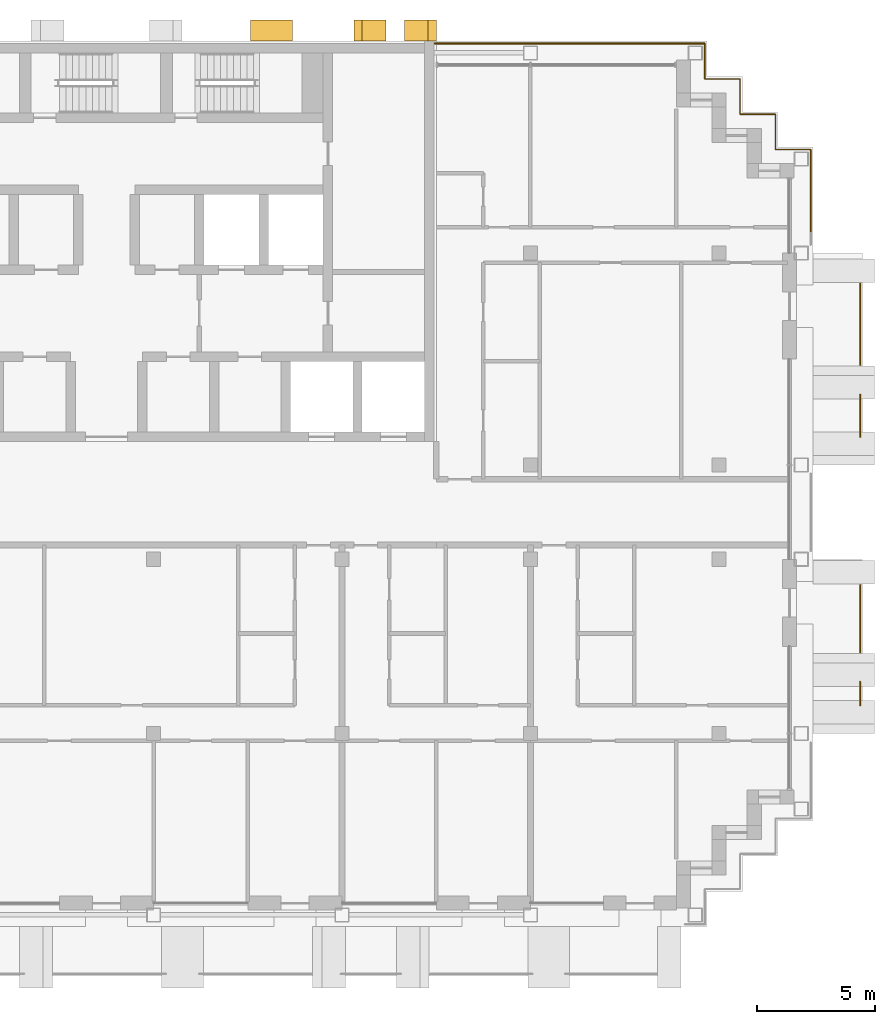
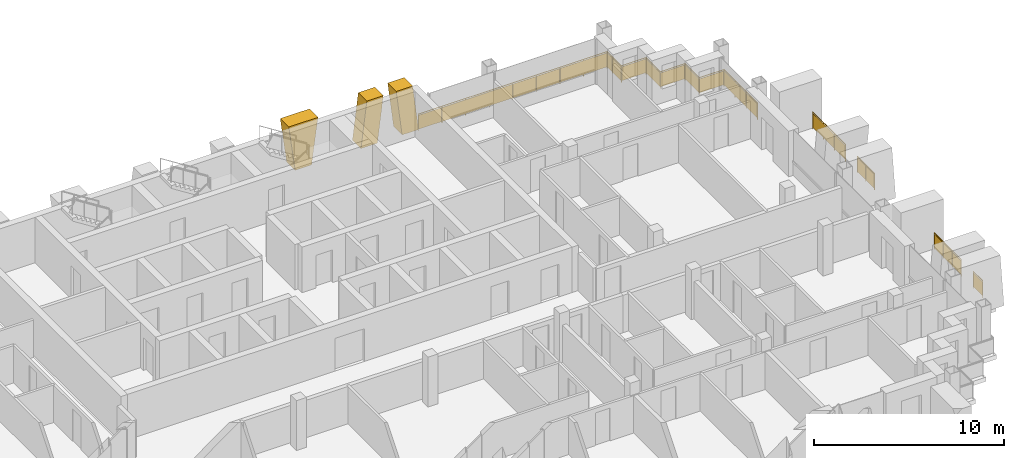
# One storey, part 16 of 16: 6 railings, 3 shading devices.
"""IFC4 building model written with IfcOpenShell, lengths in metres."""

import ifcopenshell
import ifcopenshell.guid

model = None  # the IFC model being written
_history = None  # IfcOwnerHistory: only IFC2X3 demands one
_inside = {}  # id of a spatial element -> (the spatial element, [elements in it])
_under = {}  # id of a project, library or spatial element -> (it, [spatial elements below it])
_declared = {}  # id of a project -> (the project, [libraries it declares])
_typed = {}  # id of a type object -> (the type object, [elements of that type])
_made_of = {}  # id of a material, layer set ... -> (it, [elements and type objects made of it])


def new_model(schema):
    """Start an empty IFC model of exactly this schema.

    Asked for "IFC4X3", IfcOpenShell would pick the latest addendum, in which some entities
    have other attributes; the version numbers below select the first issue.
    IFC2X3 requires an IfcOwnerHistory on every rooted entity: one is made here for all.
    """
    global model, _history
    if schema == "IFC4X3":
        model = ifcopenshell.file(schema_version=(4, 3, 0, 0))
    else:
        model = ifcopenshell.file(schema=schema)
    _inside.clear()
    _under.clear()
    _declared.clear()
    _typed.clear()
    _made_of.clear()
    _history = None
    if model.schema == "IFC2X3":
        org = make("IfcOrganization", Name="unknown")
        user = make(
            "IfcPersonAndOrganization",
            ThePerson=make("IfcPerson", FamilyName="unknown"),
            TheOrganization=org,
        )
        app = make(
            "IfcApplication",
            ApplicationDeveloper=org,
            Version="unknown",
            ApplicationFullName="unknown",
            ApplicationIdentifier="unknown",
        )
        _history = make(
            "IfcOwnerHistory",
            OwningUser=user,
            OwningApplication=app,
            ChangeAction="ADDED",
            CreationDate=0,
        )
    return model


def make(cls, **values):
    """One entity of the class cls with the attributes given. An attribute that is None is left unset."""
    return model.create_entity(
        cls, **{name: value for name, value in values.items() if value is not None}
    )


def rooted(cls, **values):
    """An entity with a GlobalId (a new one), such as an element, a storey or a relation."""
    return make(cls, GlobalId=ifcopenshell.guid.new(), OwnerHistory=_history, **values)


def si_unit(unit_type, name, prefix=None):
    """IfcSIUnit, for example si_unit("LENGTHUNIT", "METRE", prefix="MILLI")."""
    return make("IfcSIUnit", UnitType=unit_type, Prefix=prefix, Name=name)


def assignment(units):
    """IfcUnitAssignment: the units of a project."""
    return None if units is None else make("IfcUnitAssignment", Units=units)


def point(xyz):
    """IfcCartesianPoint."""
    return None if xyz is None else make("IfcCartesianPoint", Coordinates=xyz)


def direction(xyz):
    """IfcDirection."""
    return None if xyz is None else make("IfcDirection", DirectionRatios=xyz)


def frame(location, z_axis=None, x_axis=None):
    """IfcAxis2Placement3D, a coordinate frame: its origin and axes. An axis left out is left unset."""
    return make(
        "IfcAxis2Placement3D",
        Location=point(location),
        Axis=direction(z_axis),
        RefDirection=direction(x_axis),
    )


def frame_2d(location, x_axis=None):
    """IfcAxis2Placement2D, a coordinate frame in the plane: its origin and x axis."""
    return make(
        "IfcAxis2Placement2D", Location=point(location), RefDirection=direction(x_axis)
    )


def origin():
    """The frame at (0, 0, 0) with its axes left unset."""
    return frame((0.0, 0.0, 0.0))


def origin_2d():
    """The frame at (0, 0) in the plane with its x axis left unset."""
    return frame_2d((0.0, 0.0))


def place(relative_to, where):
    """IfcLocalPlacement: puts the frame where relative to a parent placement (None: the world)."""
    return make(
        "IfcLocalPlacement", PlacementRelTo=relative_to, RelativePlacement=where
    )


def context(
    kind, dimensions, precision=None, world=None, true_north=None, identifier=None
):
    """IfcGeometricRepresentationContext, for example the 3D "Model" context."""
    return make(
        "IfcGeometricRepresentationContext",
        ContextIdentifier=identifier,
        ContextType=kind,
        CoordinateSpaceDimension=dimensions,
        Precision=precision,
        WorldCoordinateSystem=world,
        TrueNorth=true_north,
    )


def subcontext(parent, identifier, kind, view, scale=None):
    """IfcGeometricRepresentationSubContext, for example "Body" below "Model"."""
    return make(
        "IfcGeometricRepresentationSubContext",
        ContextIdentifier=identifier,
        ContextType=kind,
        ParentContext=parent,
        TargetScale=scale,
        TargetView=view,
    )


def project(units=None, contexts=None):
    """IfcProject with its units and contexts."""
    return rooted(
        "IfcProject",
        Name="project",
        RepresentationContexts=contexts,
        UnitsInContext=assignment(units),
    )


def spatial(cls, under=None, at=None, **own):
    """A site, building, storey or space (cls), placed at a placement, below another one or the project."""
    s = rooted(cls, ObjectPlacement=at, **own)
    if under is not None:
        _under.setdefault(under.id(), (under, []))[1].append(s)
    return s


def polyline(points):
    """IfcPolyline through the points."""
    return make("IfcPolyline", Points=[point(p) for p in points])


def profile(cls, at=None, kind="AREA", **sizes):
    """A parametric profile (cls). Its sizes go by their IFC names, for example OverallWidth=200.0."""
    return make(cls, ProfileType=kind, Position=at, **sizes)


def rectangle(**sizes):
    """IfcRectangleProfileDef."""
    return profile("IfcRectangleProfileDef", **sizes)


def circle(**sizes):
    """IfcCircleProfileDef."""
    return profile("IfcCircleProfileDef", **sizes)


def outline(outer, holes=None, kind="AREA"):
    """IfcArbitraryClosedProfileDef: a profile drawn as a closed curve; with holes, ...WithVoids."""
    if holes is None:
        return make("IfcArbitraryClosedProfileDef", ProfileType=kind, OuterCurve=outer)
    return make(
        "IfcArbitraryProfileDefWithVoids",
        ProfileType=kind,
        OuterCurve=outer,
        InnerCurves=holes,
    )


def extrude(swept, where, along, depth):
    """IfcExtrudedAreaSolid: the profile swept, set in the frame where, extruded along a direction by depth."""
    return make(
        "IfcExtrudedAreaSolid",
        SweptArea=swept,
        Position=where,
        ExtrudedDirection=direction(along),
        Depth=depth,
    )


def shape(context_of_items, identifier, shape_type, items):
    """IfcShapeRepresentation: the items that make up one representation, for example the "Body"."""
    return make(
        "IfcShapeRepresentation",
        ContextOfItems=context_of_items,
        RepresentationIdentifier=identifier,
        RepresentationType=shape_type,
        Items=items,
    )


def material(Name=None, Category=None):
    """IfcMaterial."""
    return make("IfcMaterial", Name=Name, Category=Category)


def layer(
    of_material, thickness, ventilated=None, Name=None, Category=None, Priority=None
):
    """IfcMaterialLayer: one layer of a wall or slab, of a material (None: an air gap)."""
    return make(
        "IfcMaterialLayer",
        Material=of_material,
        LayerThickness=thickness,
        IsVentilated=ventilated,
        Name=Name,
        Category=Category,
        Priority=Priority,
    )


def layer_set(layers, Name=None):
    """IfcMaterialLayerSet."""
    return make("IfcMaterialLayerSet", MaterialLayers=layers, LayerSetName=Name)


def made_of(thing, what):
    """Note that an element or type object is made of a material, layer set ...; save() writes the relation."""
    if what is not None:
        _made_of.setdefault(what.id(), (what, []))[1].append(thing)
    return thing


def type_object(cls, material=None, **own):
    """A type object (cls), such as IfcWallType, which elements share."""
    return made_of(rooted(cls, **own), material)


def element(
    cls,
    number,
    at=None,
    inside=None,
    cuts=None,
    type_object=None,
    material=None,
    context=None,
    identifier="Body",
    shape_type=None,
    held_by="IfcProductDefinitionShape",
    body=None,
    shapes=None,
    **own,
):
    """One element of the class cls, such as IfcWall. Its Tag is "e" and its number.

    at: its placement. inside: the storey or other place that contains it. cuts: it is an
    opening in that element (IfcRelVoidsElement). A single representation is given by context,
    identifier, shape_type and body (its items); several are given by shapes. held_by: the class
    of the entity that holds the representations. save() writes the other relations.
    """
    e = rooted(cls, Tag="e%d" % number, ObjectPlacement=at, **own)
    if body is not None:
        shapes = [shape(context, identifier, shape_type, body)]
    if shapes is not None:
        e.Representation = make(held_by, Representations=shapes)
    if inside is not None:
        _inside.setdefault(inside.id(), (inside, []))[1].append(e)
    if cuts is not None:
        rooted(
            "IfcRelVoidsElement", RelatingBuildingElement=cuts, RelatedOpeningElement=e
        )
    if type_object is not None:
        _typed.setdefault(type_object.id(), (type_object, []))[1].append(e)
    return made_of(e, material)


def aggregate(whole, parts):
    """IfcRelAggregates: a whole, such as a stair, and the parts it consists of."""
    return rooted("IfcRelAggregates", RelatingObject=whole, RelatedObjects=parts)


def save(model, path):
    """Write the relations noted so far, then the file.

    IfcRelAggregates (storeys below a building ...), IfcRelContainedInSpatialStructure (elements
    in a storey), IfcRelDefinesByType, IfcRelAssociatesMaterial and IfcRelDeclares: one each for
    every whole, place, type object, material and project.
    """
    for whole, parts in _under.values():
        aggregate(whole, parts)
    for where, things in _inside.values():
        rooted(
            "IfcRelContainedInSpatialStructure",
            RelatedElements=things,
            RelatingStructure=where,
        )
    for kind, things in _typed.values():
        rooted("IfcRelDefinesByType", RelatedObjects=things, RelatingType=kind)
    for what, things in _made_of.values():
        rooted("IfcRelAssociatesMaterial", RelatedObjects=things, RelatingMaterial=what)
    for by, libraries in _declared.values():
        rooted("IfcRelDeclares", RelatingContext=by, RelatedDefinitions=libraries)
    model.write(path)


model = new_model("IFC4")

# Units and contexts
model_context = context("Model", 3, precision=1e-05, world=origin(), true_north=direction((0.0, 1.0)))
body_context = subcontext(model_context, "Body", "Model", "MODEL_VIEW")
ifc_project = project(units=[si_unit("LENGTHUNIT", "METRE"), si_unit("AREAUNIT", "SQUARE_METRE"), si_unit("VOLUMEUNIT", "CUBIC_METRE"), si_unit("PLANEANGLEUNIT", "RADIAN"), si_unit("MASSUNIT", "GRAM", prefix="KILO")], contexts=[model_context])

# Site, building, storey
site_placement = place(None, origin())
site = spatial("IfcSite", under=ifc_project, at=site_placement, CompositionType="ELEMENT")
building_placement = place(site_placement, origin())
building = spatial("IfcBuilding", under=site, at=building_placement, Name="Vidyagriha Tower", CompositionType="ELEMENT")
storey_placement = place(building_placement, frame((0.0, 0.0, 207.60009765625)))
storey = spatial("IfcBuildingStorey", under=building, at=storey_placement, Name="L53", CompositionType="ELEMENT", Elevation=207.60009765625)

# Railings
ifc_material_1 = material(Name="Steel ASTM A500 Grade C black painted", Category="steel")
railing_type_1 = type_object("IfcRailingType", Name="Balcony guard 1100", PredefinedType="BALUSTRADE", material=ifc_material_1)
railing_1_placement = place(storey_placement, frame((32.0, -8.19677734375, 0.0)))
element("IfcRailing", 1, at=railing_1_placement, inside=storey, type_object=railing_type_1, Name="Balcony guard L53 R30.1-1", PredefinedType="BALUSTRADE", context=body_context, shape_type="SweptSolid", body=[
    extrude(circle(Radius=0.02490234375, at=origin_2d()), frame((0.0, 0.0, 1.0751953125), z_axis=(0.0, 1.0, 0.0), x_axis=(-1.0, 0.0, 0.0)), (0.0, 0.0, 1.0), 0.993408203125),
    extrude(circle(Radius=0.02001953125, at=origin_2d()), origin(), (0.0, 0.0, 1.0), 1.050048828125),
    extrude(circle(Radius=0.02001953125, at=origin_2d()), frame((0.0, 0.993408203125, 0.0)), (0.0, 0.0, 1.0), 1.050048828125),
    extrude(rectangle(XDim=0.010009765625, YDim=0.900146484375, at=origin_2d()), frame((0.0, 0.0, 0.550048828125), z_axis=(0.0, 1.0, 0.0), x_axis=(-1.0, 0.0, 0.0)), (0.0, 0.0, 1.0), 0.993408203125),
])
railing_2_placement = place(storey_placement, frame((32.0, -5.949951171875, 0.0)))
element("IfcRailing", 2, at=railing_2_placement, inside=storey, type_object=railing_type_1, Name="Balcony guard L53 R30.1-2", PredefinedType="BALUSTRADE", context=body_context, shape_type="SweptSolid", body=[
    extrude(circle(Radius=0.02490234375, at=origin_2d()), frame((0.0, 0.0, 1.0751953125), z_axis=(0.0, 1.0, 0.0), x_axis=(-1.0, 0.0, 0.0)), (0.0, 0.0, 1.0), 2.849853515625),
    extrude(circle(Radius=0.02001953125, at=origin_2d()), origin(), (0.0, 0.0, 1.0), 1.050048828125),
    extrude(circle(Radius=0.02001953125, at=origin_2d()), frame((0.0, 0.949951171875, 0.0)), (0.0, 0.0, 1.0), 1.050048828125),
    extrude(circle(Radius=0.02001953125, at=origin_2d()), frame((0.0, 1.89990234375, 0.0)), (0.0, 0.0, 1.0), 1.050048828125),
    extrude(circle(Radius=0.02001953125, at=origin_2d()), frame((0.0, 2.849853515625, 0.0)), (0.0, 0.0, 1.0), 1.050048828125),
    extrude(rectangle(XDim=0.010009765625, YDim=0.900146484375, at=origin_2d()), frame((0.0, 0.0, 0.550048828125), z_axis=(0.0, 1.0, 0.0), x_axis=(-1.0, 0.0, 0.0)), (0.0, 0.0, 1.0), 2.849853515625),
])
railing_3_placement = place(storey_placement, frame((32.0, 3.203369140625, 0.0)))
element("IfcRailing", 3, at=railing_3_placement, inside=storey, type_object=railing_type_1, Name="Balcony guard L53 R30.2-1", PredefinedType="BALUSTRADE", context=body_context, shape_type="SweptSolid", body=[
    extrude(circle(Radius=0.02490234375, at=origin_2d()), frame((0.0, 0.0, 1.0751953125), z_axis=(0.0, 1.0, 0.0), x_axis=(-1.0, 0.0, 0.0)), (0.0, 0.0, 1.0), 1.793212890625),
    extrude(circle(Radius=0.02001953125, at=origin_2d()), origin(), (0.0, 0.0, 1.0), 1.050048828125),
    extrude(circle(Radius=0.02001953125, at=origin_2d()), frame((0.0, 0.896484375, 0.0)), (0.0, 0.0, 1.0), 1.050048828125),
    extrude(circle(Radius=0.02001953125, at=origin_2d()), frame((0.0, 1.793212890625, 0.0)), (0.0, 0.0, 1.0), 1.050048828125),
    extrude(rectangle(XDim=0.010009765625, YDim=0.900146484375, at=origin_2d()), frame((0.0, 0.0, 0.550048828125), z_axis=(0.0, 1.0, 0.0), x_axis=(-1.0, 0.0, 0.0)), (0.0, 0.0, 1.0), 1.793212890625),
])
railing_4_placement = place(storey_placement, frame((32.0, 6.25, 0.0)))
element("IfcRailing", 4, at=railing_4_placement, inside=storey, type_object=railing_type_1, Name="Balcony guard L53 R30.2-2", PredefinedType="BALUSTRADE", context=body_context, shape_type="SweptSolid", body=[
    extrude(circle(Radius=0.02490234375, at=origin_2d()), frame((0.0, 0.0, 1.0751953125), z_axis=(0.0, 1.0, 0.0), x_axis=(-1.0, 0.0, 0.0)), (0.0, 0.0, 1.0), 3.449951171875),
    extrude(circle(Radius=0.02001953125, at=origin_2d()), origin(), (0.0, 0.0, 1.0), 1.050048828125),
    extrude(circle(Radius=0.02001953125, at=origin_2d()), frame((0.0, 1.14990234375, 0.0)), (0.0, 0.0, 1.0), 1.050048828125),
    extrude(circle(Radius=0.02001953125, at=origin_2d()), frame((0.0, 2.300048828125, 0.0)), (0.0, 0.0, 1.0), 1.050048828125),
    extrude(circle(Radius=0.02001953125, at=origin_2d()), frame((0.0, 3.449951171875, 0.0)), (0.0, 0.0, 1.0), 1.050048828125),
    extrude(rectangle(XDim=0.010009765625, YDim=0.900146484375, at=origin_2d()), frame((0.0, 0.0, 0.550048828125), z_axis=(0.0, 1.0, 0.0), x_axis=(-1.0, 0.0, 0.0)), (0.0, 0.0, 1.0), 3.449951171875),
])

# Shading devices
ifc_material_2 = material(Name="Precast concrete C40/50 with brick facing", Category="concrete")
ifc_layer_1 = layer(ifc_material_2, 1.0)
ifc_layer_set_1 = layer_set([ifc_layer_1], Name="Precast concrete C40/50 with brick facing")
shading_device_type_1 = type_object("IfcShadingDeviceType", Name="Brick-faced rear rib arm leaning 8 degrees", PredefinedType="USERDEFINED", material=ifc_layer_set_1)
shading_device_1_placement = place(storey_placement, frame((14.0, 20.449951171875, 0.0), z_axis=(0.0, 0.0, 1.0), x_axis=(-1.0, 0.0, 0.0)))
element("IfcShadingDevice", 5, at=shading_device_1_placement, inside=storey, type_object=shading_device_type_1, Name="Rear rib arm L53 R08.1a", ObjectType="BLADE FIN", PredefinedType="USERDEFINED", context=body_context, shape_type="SweptSolid", body=[
    extrude(outline(polyline([(0.0, 0.0), (1.0, 0.0), (1.357177734375, 2.919921875), (0.357177734375, 2.919921875), (0.0, 0.0)])), frame((0.0, 0.449951171875, 0.0), z_axis=(0.0, -1.0, 0.0), x_axis=(1.0, 0.0, 0.0)), (0.0, 0.0, 1.0), 0.89990234375),
])
shading_device_2_placement = place(storey_placement, frame((11.857177734375, 20.449951171875, 0.0), z_axis=(0.0, 0.0, 1.0), x_axis=(-1.0, 0.0, 0.0)))
element("IfcShadingDevice", 6, at=shading_device_2_placement, inside=storey, type_object=shading_device_type_1, Name="Rear rib arm L53 R08.1b", ObjectType="BLADE FIN", PredefinedType="USERDEFINED", context=body_context, shape_type="SweptSolid", body=[
    extrude(outline(polyline([(0.357177734375, 0.0), (1.357177734375, 0.0), (1.0, 2.919921875), (0.0, 2.919921875), (0.357177734375, 0.0)])), frame((0.0, 0.449951171875, 0.0), z_axis=(0.0, -1.0, 0.0), x_axis=(1.0, 0.0, 0.0)), (0.0, 0.0, 1.0), 0.89990234375),
])
ifc_material_3 = material(Name="Precast concrete C40/50 with brick facing", Category="concrete")
ifc_layer_2 = layer(ifc_material_3, 1.0)
ifc_layer_set_2 = layer_set([ifc_layer_2], Name="Precast concrete C40/50 with brick facing")
shading_device_type_2 = type_object("IfcShadingDeviceType", Name="Brick-faced rear rib forking 8 degrees", PredefinedType="USERDEFINED", material=ifc_layer_set_2)
shading_device_3_placement = place(storey_placement, frame((7.8857421875, 20.449951171875, 0.0), z_axis=(0.0, 0.0, 1.0), x_axis=(-1.0, 0.0, 0.0)))
element("IfcShadingDevice", 7, at=shading_device_3_placement, inside=storey, type_object=shading_device_type_2, Name="Rear rib fork L53 R08.2a", ObjectType="BLADE FIN", PredefinedType="USERDEFINED", context=body_context, shape_type="SweptSolid", body=[
    extrude(outline(polyline([(0.3857421875, 0.0), (1.3857421875, 0.0), (1.771484375, 2.919921875), (0.0, 2.919921875), (0.3857421875, 0.0)])), frame((0.0, 0.449951171875, 0.0), z_axis=(0.0, -1.0, 0.0), x_axis=(1.0, 0.0, 0.0)), (0.0, 0.0, 1.0), 0.89990234375),
])

# Railings
ifc_material_4 = material(Name="Steel ASTM A500 Grade C black painted", Category="steel")
railing_type_2 = type_object("IfcRailingType", Name="Gallery guard 1100", PredefinedType="GUARDRAIL", material=ifc_material_4)
railing_5_placement = place(storey_placement, frame((13.929931640625, 19.89990234375, 0.0)))
element("IfcRailing", 8, at=railing_5_placement, inside=storey, type_object=railing_type_2, Name="Gallery guard L53 7", PredefinedType="GUARDRAIL", context=body_context, shape_type="SweptSolid", body=[
    extrude(circle(Radius=0.02490234375, at=origin_2d()), frame((0.0, 0.0, 1.0751953125), z_axis=(1.0, 0.0, 0.0), x_axis=(0.0, 1.0, 0.0)), (0.0, 0.0, 1.0), 11.469970703125),
    extrude(circle(Radius=0.02490234375, at=origin_2d()), frame((11.469970703125, 0.0, 1.0751953125), z_axis=(0.0, -1.0, 0.0), x_axis=(1.0, 0.0, 0.0)), (0.0, 0.0, 1.0), 0.52978515625),
    extrude(circle(Radius=0.02001953125, at=origin_2d()), origin(), (0.0, 0.0, 1.0), 1.050048828125),
    extrude(circle(Radius=0.02001953125, at=origin_2d()), frame((1.433837890625, 0.0, 0.0)), (0.0, 0.0, 1.0), 1.050048828125),
    extrude(circle(Radius=0.02001953125, at=origin_2d()), frame((2.867431640625, 0.0, 0.0)), (0.0, 0.0, 1.0), 1.050048828125),
    extrude(circle(Radius=0.02001953125, at=origin_2d()), frame((4.30126953125, 0.0, 0.0)), (0.0, 0.0, 1.0), 1.050048828125),
    extrude(circle(Radius=0.02001953125, at=origin_2d()), frame((5.73486328125, 0.0, 0.0)), (0.0, 0.0, 1.0), 1.050048828125),
    extrude(circle(Radius=0.02001953125, at=origin_2d()), frame((7.168701171875, 0.0, 0.0)), (0.0, 0.0, 1.0), 1.050048828125),
    extrude(circle(Radius=0.02001953125, at=origin_2d()), frame((8.6025390625, 0.0, 0.0)), (0.0, 0.0, 1.0), 1.050048828125),
    extrude(circle(Radius=0.02001953125, at=origin_2d()), frame((10.0361328125, 0.0, 0.0)), (0.0, 0.0, 1.0), 1.050048828125),
    extrude(circle(Radius=0.02001953125, at=origin_2d()), frame((11.469970703125, 0.0, 0.0)), (0.0, 0.0, 1.0), 1.050048828125),
    extrude(circle(Radius=0.02001953125, at=origin_2d()), frame((11.469970703125, -0.52978515625, 0.0)), (0.0, 0.0, 1.0), 1.050048828125),
    extrude(rectangle(XDim=0.010009765625, YDim=0.900146484375, at=origin_2d()), frame((0.0, 0.0, 0.550048828125), z_axis=(1.0, 0.0, 0.0), x_axis=(0.0, 1.0, 0.0)), (0.0, 0.0, 1.0), 11.469970703125),
    extrude(rectangle(XDim=0.010009765625, YDim=0.900146484375, at=origin_2d()), frame((11.469970703125, 0.0, 0.550048828125), z_axis=(0.0, -1.0, 0.0), x_axis=(1.0, 0.0, 0.0)), (0.0, 0.0, 1.0), 0.52978515625),
])
railing_6_placement = place(storey_placement, frame((25.39990234375, 19.3701171875, 0.0)))
element("IfcRailing", 9, at=railing_6_placement, inside=storey, type_object=railing_type_2, Name="Gallery guard L53 8", PredefinedType="GUARDRAIL", context=body_context, shape_type="SweptSolid", body=[
    extrude(circle(Radius=0.02490234375, at=origin_2d()), frame((0.0, 0.0, 1.0751953125), z_axis=(0.0, -1.0, 0.0), x_axis=(1.0, 0.0, 0.0)), (0.0, 0.0, 1.0), 0.97021484375),
    extrude(circle(Radius=0.02490234375, at=origin_2d()), frame((0.0, -0.97021484375, 1.0751953125), z_axis=(1.0, 0.0, 0.0), x_axis=(0.0, 1.0, 0.0)), (0.0, 0.0, 1.0), 1.5),
    extrude(circle(Radius=0.02490234375, at=origin_2d()), frame((1.5, -0.97021484375, 1.0751953125), z_axis=(0.0, -1.0, 0.0), x_axis=(1.0, 0.0, 0.0)), (0.0, 0.0, 1.0), 1.5),
    extrude(circle(Radius=0.02490234375, at=origin_2d()), frame((1.5, -2.47021484375, 1.0751953125), z_axis=(1.0, 0.0, 0.0), x_axis=(0.0, 1.0, 0.0)), (0.0, 0.0, 1.0), 1.5),
    extrude(circle(Radius=0.02490234375, at=origin_2d()), frame((3.0, -2.47021484375, 1.0751953125), z_axis=(0.0, -1.0, 0.0), x_axis=(1.0, 0.0, 0.0)), (0.0, 0.0, 1.0), 1.5),
    extrude(circle(Radius=0.02490234375, at=origin_2d()), frame((3.0, -3.97021484375, 1.0751953125), z_axis=(1.0, 0.0, 0.0), x_axis=(0.0, 1.0, 0.0)), (0.0, 0.0, 1.0), 1.5),
    extrude(circle(Radius=0.02490234375, at=origin_2d()), frame((4.5, -3.97021484375, 1.0751953125), z_axis=(0.0, -1.0, 0.0), x_axis=(1.0, 0.0, 0.0)), (0.0, 0.0, 1.0), 3.52978515625),
    extrude(circle(Radius=0.02001953125, at=origin_2d()), origin(), (0.0, 0.0, 1.0), 1.050048828125),
    extrude(circle(Radius=0.02001953125, at=origin_2d()), frame((0.0, -0.97021484375, 0.0)), (0.0, 0.0, 1.0), 1.050048828125),
    extrude(circle(Radius=0.02001953125, at=origin_2d()), frame((1.5, -0.97021484375, 0.0)), (0.0, 0.0, 1.0), 1.050048828125),
    extrude(circle(Radius=0.02001953125, at=origin_2d()), frame((1.5, -2.47021484375, 0.0)), (0.0, 0.0, 1.0), 1.050048828125),
    extrude(circle(Radius=0.02001953125, at=origin_2d()), frame((3.0, -2.47021484375, 0.0)), (0.0, 0.0, 1.0), 1.050048828125),
    extrude(circle(Radius=0.02001953125, at=origin_2d()), frame((3.0, -3.97021484375, 0.0)), (0.0, 0.0, 1.0), 1.050048828125),
    extrude(circle(Radius=0.02001953125, at=origin_2d()), frame((4.5, -3.97021484375, 0.0)), (0.0, 0.0, 1.0), 1.050048828125),
    extrude(circle(Radius=0.02001953125, at=origin_2d()), frame((4.5, -5.146728515625, 0.0)), (0.0, 0.0, 1.0), 1.050048828125),
    extrude(circle(Radius=0.02001953125, at=origin_2d()), frame((4.5, -6.323486328125, 0.0)), (0.0, 0.0, 1.0), 1.050048828125),
    extrude(circle(Radius=0.02001953125, at=origin_2d()), frame((4.5, -7.5, 0.0)), (0.0, 0.0, 1.0), 1.050048828125),
    extrude(rectangle(XDim=0.010009765625, YDim=0.900146484375, at=origin_2d()), frame((0.0, 0.0, 0.550048828125), z_axis=(0.0, -1.0, 0.0), x_axis=(1.0, 0.0, 0.0)), (0.0, 0.0, 1.0), 0.97021484375),
    extrude(rectangle(XDim=0.010009765625, YDim=0.900146484375, at=origin_2d()), frame((0.0, -0.97021484375, 0.550048828125), z_axis=(1.0, 0.0, 0.0), x_axis=(0.0, 1.0, 0.0)), (0.0, 0.0, 1.0), 1.5),
    extrude(rectangle(XDim=0.010009765625, YDim=0.900146484375, at=origin_2d()), frame((1.5, -0.97021484375, 0.550048828125), z_axis=(0.0, -1.0, 0.0), x_axis=(1.0, 0.0, 0.0)), (0.0, 0.0, 1.0), 1.5),
    extrude(rectangle(XDim=0.010009765625, YDim=0.900146484375, at=origin_2d()), frame((1.5, -2.47021484375, 0.550048828125), z_axis=(1.0, 0.0, 0.0), x_axis=(0.0, 1.0, 0.0)), (0.0, 0.0, 1.0), 1.5),
    extrude(rectangle(XDim=0.010009765625, YDim=0.900146484375, at=origin_2d()), frame((3.0, -2.47021484375, 0.550048828125), z_axis=(0.0, -1.0, 0.0), x_axis=(1.0, 0.0, 0.0)), (0.0, 0.0, 1.0), 1.5),
    extrude(rectangle(XDim=0.010009765625, YDim=0.900146484375, at=origin_2d()), frame((3.0, -3.97021484375, 0.550048828125), z_axis=(1.0, 0.0, 0.0), x_axis=(0.0, 1.0, 0.0)), (0.0, 0.0, 1.0), 1.5),
    extrude(rectangle(XDim=0.010009765625, YDim=0.900146484375, at=origin_2d()), frame((4.5, -3.97021484375, 0.550048828125), z_axis=(0.0, -1.0, 0.0), x_axis=(1.0, 0.0, 0.0)), (0.0, 0.0, 1.0), 3.52978515625),
])

save(model, "model.ifc")
